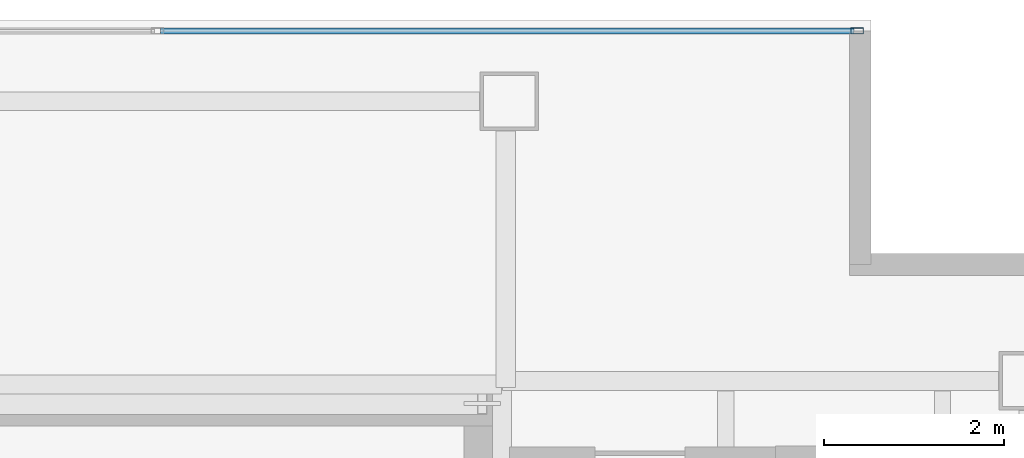
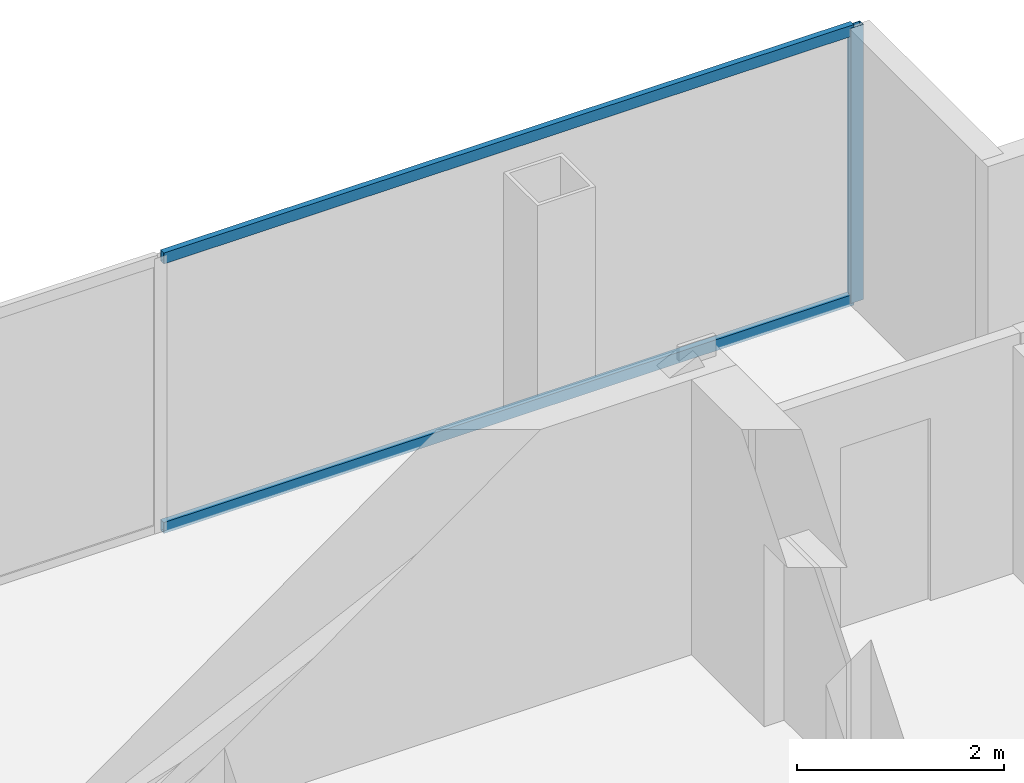
# One storey, part 18 of 23: 3 members, 1 element without a shape of its own.
"""IFC4 building model written with IfcOpenShell, lengths in metres."""

from ifc_helpers import new_model, si_unit, direction, frame, origin, origin_2d, place, context, subcontext, project, spatial, hollow_rectangle, extrude, material, material_profile, profile_set, type_object, element, aggregate, save


model = new_model("IFC4")

# Units and contexts
model_context = context("Model", 3, precision=1e-05, world=origin(), true_north=direction((0.0, 1.0)))
body_context = subcontext(model_context, "Body", "Model", "MODEL_VIEW")
ifc_project = project(units=[si_unit("LENGTHUNIT", "METRE"), si_unit("AREAUNIT", "SQUARE_METRE"), si_unit("VOLUMEUNIT", "CUBIC_METRE"), si_unit("PLANEANGLEUNIT", "RADIAN"), si_unit("MASSUNIT", "GRAM", prefix="KILO")], contexts=[model_context])

# Site, building, storey
site_placement = place(None, origin())
site = spatial("IfcSite", under=ifc_project, at=site_placement, CompositionType="ELEMENT")
building_placement = place(site_placement, origin())
building = spatial("IfcBuilding", under=site, at=building_placement, Name="Cobrela Telecom Tower", CompositionType="ELEMENT")
storey_placement = place(building_placement, frame((0.0, 0.0, 265.64990234375)))
storey = spatial("IfcBuildingStorey", under=building, at=storey_placement, Name="L69", CompositionType="ELEMENT", Elevation=265.64990234375)

# Curtain wall, members
ifc_material = material(Name="Anodized Bronze Aluminium 6063-T6", Category="aluminium")
curtain_wall_type = type_object("IfcCurtainWallType", Name="CW-SYS-OFF-HI", PredefinedType="USERDEFINED", material=ifc_material)
curtain_wall_placement = place(storey_placement, origin())
curtain_wall = element("IfcCurtainWall", 1, at=curtain_wall_placement, inside=storey, type_object=curtain_wall_type, Name="L69 Unitised Bronze Curtain Wall 05", ObjectType="UNITISED CURTAIN WALL", PredefinedType="USERDEFINED")
ifc_material_profile_1 = material_profile(ifc_material, hollow_rectangle(XDim=0.070068359375, YDim=0.139892578125, WallThickness=0.00390625, at=origin_2d()), Name="ALU 70x140x4")
ifc_profile_set_1 = profile_set([ifc_material_profile_1], Name="Anodized Bronze Aluminium 6063-T6")
member_type_1 = type_object("IfcMemberType", Name="CW-SYS-OFF-HI-MUL", PredefinedType="MULLION", material=ifc_profile_set_1)
member_1_placement = place(storey_placement, frame((18.2548828125, 39.8798828125, 0.0), z_axis=(0.0, 0.0, 1.0), x_axis=(0.0, 1.0, 0.0)))
member_1 = element("IfcMember", 2, at=member_1_placement, type_object=member_type_1, Name="CW-OFF-HI mullion 3", PredefinedType="MULLION", context=body_context, shape_type="SweptSolid", body=[
    extrude(hollow_rectangle(XDim=0.070068359375, YDim=0.139892578125, WallThickness=0.00390625, at=origin_2d()), origin(), (0.0, 0.0, 1.0), 3.239990234375),
])
ifc_material_profile_2 = material_profile(ifc_material, hollow_rectangle(XDim=0.06494140625, YDim=0.1298828125, WallThickness=0.00390625, at=origin_2d()), Name="ALU 65x130x4")
ifc_profile_set_2 = profile_set([ifc_material_profile_2], Name="Anodized Bronze Aluminium 6063-T6")
member_type_2 = type_object("IfcMemberType", Name="CW-SYS-OFF-HI-TRN", PredefinedType="USERDEFINED", material=ifc_profile_set_2)
member_2_placement = place(storey_placement, frame((10.534912109375, 39.8798828125, 0.03271484375), z_axis=(1.0, 0.0, 0.0), x_axis=(0.0, 1.0, 0.0)))
member_2 = element("IfcMember", 3, at=member_2_placement, type_object=member_type_2, Name="CW-OFF-HI transom 2.1", ObjectType="TRANSOM", PredefinedType="USERDEFINED", context=body_context, shape_type="SweptSolid", body=[
    extrude(hollow_rectangle(XDim=0.06494140625, YDim=0.1298828125, WallThickness=0.00390625, at=origin_2d()), origin(), (0.0, 0.0, 1.0), 7.68505859375),
])
member_3_placement = place(storey_placement, frame((10.534912109375, 39.8798828125, 3.20751953125), z_axis=(1.0, 0.0, 0.0), x_axis=(0.0, 1.0, 0.0)))
member_3 = element("IfcMember", 4, at=member_3_placement, type_object=member_type_2, Name="CW-OFF-HI transom 2.2", ObjectType="TRANSOM", PredefinedType="USERDEFINED", context=body_context, shape_type="SweptSolid", body=[
    extrude(hollow_rectangle(XDim=0.06494140625, YDim=0.1298828125, WallThickness=0.00390625, at=origin_2d()), origin(), (0.0, 0.0, 1.0), 7.68505859375),
])
aggregate(curtain_wall, [member_1, member_2, member_3])

save(model, "model.ifc")
